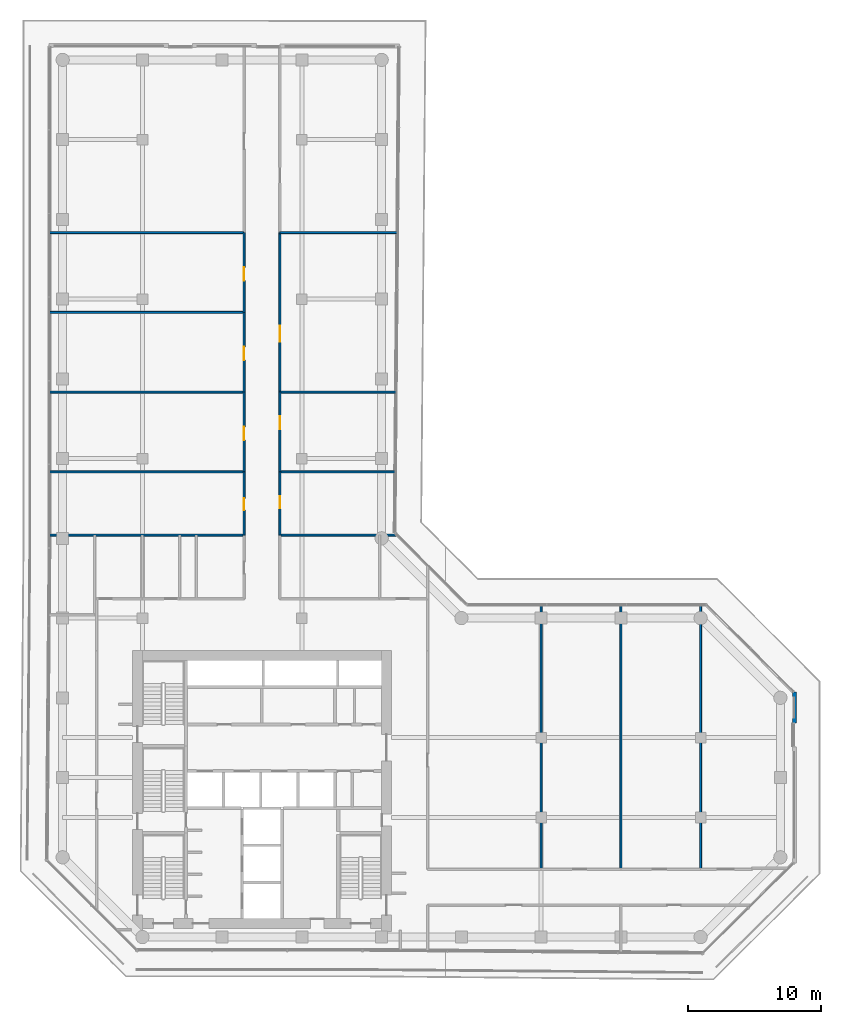
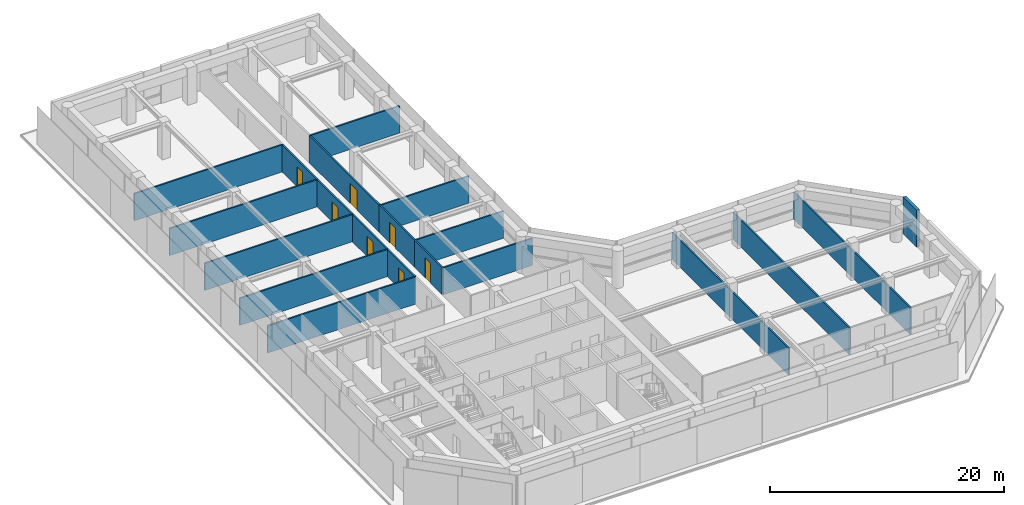
# One storey, part 20 of 23: 20 walls, 7 doors, 7 openings.
"""IFC4 building model written with IfcOpenShell, lengths in metres."""

from ifc_helpers import new_model, si_unit, direction, frame, frame_2d, origin, place, context, subcontext, project, spatial, rectangle, extrude, material, layer, layer_set, type_object, element, fill, save


model = new_model("IFC4")

# Units and contexts
model_context = context("Model", 3, precision=1e-05, world=origin(), true_north=direction((0.0, 1.0)))
body_context = subcontext(model_context, "Body", "Model", "MODEL_VIEW")
ifc_project = project(units=[si_unit("LENGTHUNIT", "METRE"), si_unit("AREAUNIT", "SQUARE_METRE"), si_unit("VOLUMEUNIT", "CUBIC_METRE"), si_unit("PLANEANGLEUNIT", "RADIAN"), si_unit("MASSUNIT", "GRAM", prefix="KILO")], contexts=[model_context])

# Site, building, storey
site_placement = place(None, origin())
site = spatial("IfcSite", under=ifc_project, at=site_placement, CompositionType="ELEMENT")
building_placement = place(site_placement, origin())
building = spatial("IfcBuilding", under=site, at=building_placement, Name="Welwitschia Terrace Campus", CompositionType="ELEMENT")
storey_placement = place(building_placement, frame((0.0, 0.0, 113.0)))
storey = spatial("IfcBuildingStorey", under=building, at=storey_placement, Name="L25", CompositionType="ELEMENT", Elevation=113.0)

# Walls
ifc_material_1 = material(Name="Gypsum board on steel studs", Category="steel")
ifc_layer_1 = layer(ifc_material_1, 0.14990234375)
ifc_layer_set_1 = layer_set([ifc_layer_1], Name="Gypsum board on steel studs")
wall_type_1 = type_object("IfcWallType", Name="Corridor partition 150 EI 30", PredefinedType="PARTITIONING", material=ifc_layer_set_1)
for number, where, z_axis, x_axis, name in (
    (1, (-0.97998046875, 34.25, 0.0), (0.0, 0.0, 1.0), (1.0, 0.0, 0.0), "Partition"),
    (2, (-0.97998046875, 39.0, 0.0), (0.0, 0.0, 1.0), (1.0, 0.0, 0.0), "Partition"),
    (3, (-0.97998046875, 45.0, 0.0), (0.0, 0.0, 1.0), (1.0, 0.0, 0.0), "Partition"),
    (4, (-0.97998046875, 51.0, 0.0), (0.0, 0.0, 1.0), (1.0, 0.0, 0.0), "Partition"),
    (5, (-0.97998046875, 57.0, 0.0), (0.0, 0.0, 1.0), (1.0, 0.0, 0.0), "Partition"),
):
    element("IfcWall", number, at=place(storey_placement, frame(where, z_axis=z_axis, x_axis=x_axis)), inside=storey, type_object=wall_type_1, Name=name, PredefinedType="PARTITIONING", context=body_context, shape_type="SweptSolid", body=[
        extrude(rectangle(XDim=14.6298828125, YDim=0.14990234375, at=frame_2d((7.31494140625, 0.0))), origin(), (0.0, 0.0, 1.0), 2.830078125),
    ])

# Wall, opening, door
wall_1_placement = place(storey_placement, frame((13.64990234375, 34.25, 0.0), z_axis=(0.0, 0.0, 1.0), x_axis=(0.0, 1.0, 0.0)))
wall_1 = element("IfcWall", 6, at=wall_1_placement, inside=storey, type_object=wall_type_1, Name="Partition", PredefinedType="PARTITIONING", context=body_context, shape_type="SweptSolid", body=[
    extrude(rectangle(XDim=4.75, YDim=0.14990234375, at=frame_2d((2.375, 0.0))), origin(), (0.0, 0.0, 1.0), 2.830078125),
])
opening_1_placement = place(wall_1_placement, frame((1.85009765625, 0.0, 0.0)))
opening_1 = element("IfcOpeningElement", 7, at=opening_1_placement, cuts=wall_1, Name="Opening DI09", PredefinedType="OPENING", context=body_context, shape_type="SweptSolid", body=[
    extrude(rectangle(XDim=0.89990234375, YDim=2.10009765625, at=frame_2d((0.449951171875, 1.050048828125))), frame((0.0, 0.0849609375, 0.0), z_axis=(0.0, -1.0, 0.0), x_axis=(1.0, 0.0, 0.0)), (0.0, 0.0, 1.0), 0.169921875),
])
ifc_material_2 = material(Name="Timber veneered door", Category="wood")
door_type_1 = type_object("IfcDoorType", Name="Interior door DI09", OperationType="NOTDEFINED", PredefinedType="DOOR", material=ifc_material_2)
door_1_placement = place(opening_1_placement, origin())
door_1 = element("IfcDoor", 8, at=door_1_placement, inside=storey, type_object=door_type_1, Name="Door L25 546", OperationType="SINGLE_SWING_LEFT", OverallHeight=2.10009765625, OverallWidth=0.89990234375, PredefinedType="DOOR", context=body_context, shape_type="SweptSolid", body=[
    extrude(rectangle(XDim=0.89990234375, YDim=2.10009765625, at=frame_2d((0.449951171875, 1.050048828125))), frame((0.0, 0.02490234375, 0.0), z_axis=(0.0, -1.0, 0.0), x_axis=(1.0, 0.0, 0.0)), (0.0, 0.0, 1.0), 0.050048828125),
])
fill(opening_1, door_1)

wall_2_placement = place(storey_placement, frame((13.64990234375, 39.0, 0.0), z_axis=(0.0, 0.0, 1.0), x_axis=(0.0, 1.0, 0.0)))
wall_2 = element("IfcWall", 9, at=wall_2_placement, inside=storey, type_object=wall_type_1, Name="Partition", PredefinedType="PARTITIONING", context=body_context, shape_type="SweptSolid", body=[
    extrude(rectangle(XDim=6.0, YDim=0.14990234375, at=frame_2d((3.0, 0.0))), origin(), (0.0, 0.0, 1.0), 2.830078125),
])
opening_2_placement = place(wall_2_placement, frame((2.39990234375, 0.0, 0.0)))
opening_2 = element("IfcOpeningElement", 10, at=opening_2_placement, cuts=wall_2, Name="Opening DI10", PredefinedType="OPENING", context=body_context, shape_type="SweptSolid", body=[
    extrude(rectangle(XDim=1.0, YDim=2.10009765625, at=frame_2d((0.5, 1.050048828125))), frame((0.0, 0.0849609375, 0.0), z_axis=(0.0, -1.0, 0.0), x_axis=(1.0, 0.0, 0.0)), (0.0, 0.0, 1.0), 0.169921875),
])
ifc_material_3 = material(Name="Timber veneered door", Category="wood")
door_type_2 = type_object("IfcDoorType", Name="Interior door DI10", OperationType="NOTDEFINED", PredefinedType="DOOR", material=ifc_material_3)
door_2_placement = place(opening_2_placement, origin())
door_2 = element("IfcDoor", 11, at=door_2_placement, inside=storey, type_object=door_type_2, Name="Door L25 547", OperationType="SINGLE_SWING_RIGHT", OverallHeight=2.10009765625, OverallWidth=1.0, PredefinedType="DOOR", context=body_context, shape_type="SweptSolid", body=[
    extrude(rectangle(XDim=1.0, YDim=2.10009765625, at=frame_2d((0.5, 1.050048828125))), frame((0.0, 0.02490234375, 0.0), z_axis=(0.0, -1.0, 0.0), x_axis=(1.0, 0.0, 0.0)), (0.0, 0.0, 1.0), 0.050048828125),
])
fill(opening_2, door_2)

wall_3_placement = place(storey_placement, frame((13.64990234375, 45.0, 0.0), z_axis=(0.0, 0.0, 1.0), x_axis=(0.0, 1.0, 0.0)))
wall_3 = element("IfcWall", 12, at=wall_3_placement, inside=storey, type_object=wall_type_1, Name="Partition", PredefinedType="PARTITIONING", context=body_context, shape_type="SweptSolid", body=[
    extrude(rectangle(XDim=6.0, YDim=0.14990234375, at=frame_2d((3.0, 0.0))), origin(), (0.0, 0.0, 1.0), 2.830078125),
])
opening_3_placement = place(wall_3_placement, frame((2.39990234375, 0.0, 0.0)))
opening_3 = element("IfcOpeningElement", 13, at=opening_3_placement, cuts=wall_3, Name="Opening DI10", PredefinedType="OPENING", context=body_context, shape_type="SweptSolid", body=[
    extrude(rectangle(XDim=1.0, YDim=2.10009765625, at=frame_2d((0.5, 1.050048828125))), frame((0.0, 0.0849609375, 0.0), z_axis=(0.0, -1.0, 0.0), x_axis=(1.0, 0.0, 0.0)), (0.0, 0.0, 1.0), 0.169921875),
])
door_3_placement = place(opening_3_placement, origin())
door_3 = element("IfcDoor", 14, at=door_3_placement, inside=storey, type_object=door_type_2, Name="Door L25 548", OperationType="SINGLE_SWING_LEFT", OverallHeight=2.10009765625, OverallWidth=1.0, PredefinedType="DOOR", context=body_context, shape_type="SweptSolid", body=[
    extrude(rectangle(XDim=1.0, YDim=2.10009765625, at=frame_2d((0.5, 1.050048828125))), frame((0.0, 0.02490234375, 0.0), z_axis=(0.0, -1.0, 0.0), x_axis=(1.0, 0.0, 0.0)), (0.0, 0.0, 1.0), 0.050048828125),
])
fill(opening_3, door_3)

wall_4_placement = place(storey_placement, frame((13.64990234375, 51.0, 0.0), z_axis=(0.0, 0.0, 1.0), x_axis=(0.0, 1.0, 0.0)))
wall_4 = element("IfcWall", 15, at=wall_4_placement, inside=storey, type_object=wall_type_1, Name="Partition", PredefinedType="PARTITIONING", context=body_context, shape_type="SweptSolid", body=[
    extrude(rectangle(XDim=6.0, YDim=0.14990234375, at=frame_2d((3.0, 0.0))), origin(), (0.0, 0.0, 1.0), 2.830078125),
])
opening_4_placement = place(wall_4_placement, frame((2.39990234375, 0.0, 0.0)))
opening_4 = element("IfcOpeningElement", 16, at=opening_4_placement, cuts=wall_4, Name="Opening DI10", PredefinedType="OPENING", context=body_context, shape_type="SweptSolid", body=[
    extrude(rectangle(XDim=1.0, YDim=2.10009765625, at=frame_2d((0.5, 1.050048828125))), frame((0.0, 0.0849609375, 0.0), z_axis=(0.0, -1.0, 0.0), x_axis=(1.0, 0.0, 0.0)), (0.0, 0.0, 1.0), 0.169921875),
])
door_4_placement = place(opening_4_placement, origin())
door_4 = element("IfcDoor", 17, at=door_4_placement, inside=storey, type_object=door_type_2, Name="Door L25 549", OperationType="SINGLE_SWING_RIGHT", OverallHeight=2.10009765625, OverallWidth=1.0, PredefinedType="DOOR", context=body_context, shape_type="SweptSolid", body=[
    extrude(rectangle(XDim=1.0, YDim=2.10009765625, at=frame_2d((0.5, 1.050048828125))), frame((0.0, 0.02490234375, 0.0), z_axis=(0.0, -1.0, 0.0), x_axis=(1.0, 0.0, 0.0)), (0.0, 0.0, 1.0), 0.050048828125),
])
fill(opening_4, door_4)

# Wall
wall_5_placement = place(storey_placement, frame((16.35009765625, 34.25, 0.0), z_axis=(0.0, 0.0, 1.0), x_axis=(1.0, 0.0, 0.0)))
element("IfcWall", 18, at=wall_5_placement, inside=storey, type_object=wall_type_1, Name="Partition", PredefinedType="PARTITIONING", context=body_context, shape_type="SweptSolid", body=[
    extrude(rectangle(XDim=8.789794921875, YDim=0.14990234375, at=frame_2d((4.39501953125, 0.0))), origin(), (0.0, 0.0, 1.0), 2.830078125),
])

# Wall, opening, door
wall_6_placement = place(storey_placement, frame((16.35009765625, 39.0, 0.0), z_axis=(0.0, 0.0, 1.0), x_axis=(0.0, -1.0, 0.0)))
wall_6 = element("IfcWall", 19, at=wall_6_placement, inside=storey, type_object=wall_type_1, Name="Partition", PredefinedType="PARTITIONING", context=body_context, shape_type="SweptSolid", body=[
    extrude(rectangle(XDim=4.75, YDim=0.14990234375, at=frame_2d((2.375, 0.0))), origin(), (0.0, 0.0, 1.0), 2.830078125),
])
opening_5_placement = place(wall_6_placement, frame((1.85009765625, 0.0, 0.0)))
opening_5 = element("IfcOpeningElement", 20, at=opening_5_placement, cuts=wall_6, Name="Opening DI09", PredefinedType="OPENING", context=body_context, shape_type="SweptSolid", body=[
    extrude(rectangle(XDim=0.89990234375, YDim=2.10009765625, at=frame_2d((0.449951171875, 1.050048828125))), frame((0.0, 0.0849609375, 0.0), z_axis=(0.0, -1.0, 0.0), x_axis=(1.0, 0.0, 0.0)), (0.0, 0.0, 1.0), 0.169921875),
])
door_5_placement = place(opening_5_placement, origin())
door_5 = element("IfcDoor", 21, at=door_5_placement, inside=storey, type_object=door_type_1, Name="Door L25 551", OperationType="SINGLE_SWING_RIGHT", OverallHeight=2.10009765625, OverallWidth=0.89990234375, PredefinedType="DOOR", context=body_context, shape_type="SweptSolid", body=[
    extrude(rectangle(XDim=0.89990234375, YDim=2.10009765625, at=frame_2d((0.449951171875, 1.050048828125))), frame((0.0, 0.02490234375, 0.0), z_axis=(0.0, -1.0, 0.0), x_axis=(1.0, 0.0, 0.0)), (0.0, 0.0, 1.0), 0.050048828125),
])
fill(opening_5, door_5)

# Wall
wall_7_placement = place(storey_placement, frame((16.35009765625, 39.0, 0.0), z_axis=(0.0, 0.0, 1.0), x_axis=(1.0, 0.0, 0.0)))
element("IfcWall", 22, at=wall_7_placement, inside=storey, type_object=wall_type_1, Name="Partition", PredefinedType="PARTITIONING", context=body_context, shape_type="SweptSolid", body=[
    extrude(rectangle(XDim=8.679931640625, YDim=0.14990234375, at=frame_2d((4.33984375, 0.0))), origin(), (0.0, 0.0, 1.0), 2.830078125),
])

# Wall, opening, door
wall_8_placement = place(storey_placement, frame((16.35009765625, 45.0, 0.0), z_axis=(0.0, 0.0, 1.0), x_axis=(0.0, -1.0, 0.0)))
wall_8 = element("IfcWall", 23, at=wall_8_placement, inside=storey, type_object=wall_type_1, Name="Partition", PredefinedType="PARTITIONING", context=body_context, shape_type="SweptSolid", body=[
    extrude(rectangle(XDim=6.0, YDim=0.14990234375, at=frame_2d((3.0, 0.0))), origin(), (0.0, 0.0, 1.0), 2.830078125),
])
opening_6_placement = place(wall_8_placement, frame((1.800048828125, 0.0, 0.0)))
opening_6 = element("IfcOpeningElement", 24, at=opening_6_placement, cuts=wall_8, Name="Opening DI10", PredefinedType="OPENING", context=body_context, shape_type="SweptSolid", body=[
    extrude(rectangle(XDim=1.0, YDim=2.10009765625, at=frame_2d((0.5, 1.050048828125))), frame((0.0, 0.0849609375, 0.0), z_axis=(0.0, -1.0, 0.0), x_axis=(1.0, 0.0, 0.0)), (0.0, 0.0, 1.0), 0.169921875),
])
door_6_placement = place(opening_6_placement, origin())
door_6 = element("IfcDoor", 25, at=door_6_placement, inside=storey, type_object=door_type_2, Name="Door L25 552", OperationType="SINGLE_SWING_LEFT", OverallHeight=2.10009765625, OverallWidth=1.0, PredefinedType="DOOR", context=body_context, shape_type="SweptSolid", body=[
    extrude(rectangle(XDim=1.0, YDim=2.10009765625, at=frame_2d((0.5, 1.050048828125))), frame((0.0, 0.02490234375, 0.0), z_axis=(0.0, -1.0, 0.0), x_axis=(1.0, 0.0, 0.0)), (0.0, 0.0, 1.0), 0.050048828125),
])
fill(opening_6, door_6)

# Wall
wall_9_placement = place(storey_placement, frame((16.35009765625, 45.0, 0.0), z_axis=(0.0, 0.0, 1.0), x_axis=(1.0, 0.0, 0.0)))
element("IfcWall", 26, at=wall_9_placement, inside=storey, type_object=wall_type_1, Name="Partition", PredefinedType="PARTITIONING", context=body_context, shape_type="SweptSolid", body=[
    extrude(rectangle(XDim=8.72998046875, YDim=0.14990234375, at=frame_2d((4.364990234375, 0.0))), origin(), (0.0, 0.0, 1.0), 2.830078125),
])

# Wall, opening, door
wall_10_placement = place(storey_placement, frame((16.35009765625, 57.0, 0.0), z_axis=(0.0, 0.0, 1.0), x_axis=(0.0, -1.0, 0.0)))
wall_10 = element("IfcWall", 27, at=wall_10_placement, inside=storey, type_object=wall_type_1, Name="Partition", PredefinedType="PARTITIONING", context=body_context, shape_type="SweptSolid", body=[
    extrude(rectangle(XDim=12.0, YDim=0.14990234375, at=frame_2d((6.0, 0.0))), origin(), (0.0, 0.0, 1.0), 2.830078125),
])
opening_7_placement = place(wall_10_placement, frame((7.0, 0.0, 0.0)))
opening_7 = element("IfcOpeningElement", 28, at=opening_7_placement, cuts=wall_10, Name="Opening DI12", PredefinedType="OPENING", context=body_context, shape_type="SweptSolid", body=[
    extrude(rectangle(XDim=1.199951171875, YDim=2.10009765625, at=frame_2d((0.60009765625, 1.050048828125))), frame((0.0, 0.0849609375, 0.0), z_axis=(0.0, -1.0, 0.0), x_axis=(1.0, 0.0, 0.0)), (0.0, 0.0, 1.0), 0.169921875),
])
ifc_material_4 = material(Name="Timber veneered door", Category="wood")
door_type_3 = type_object("IfcDoorType", Name="Interior door DI12", OperationType="NOTDEFINED", PredefinedType="DOOR", material=ifc_material_4)
door_7_placement = place(opening_7_placement, origin())
door_7 = element("IfcDoor", 29, at=door_7_placement, inside=storey, type_object=door_type_3, Name="Door L25 553", OperationType="SINGLE_SWING_RIGHT", OverallHeight=2.10009765625, OverallWidth=1.199951171875, PredefinedType="DOOR", context=body_context, shape_type="SweptSolid", body=[
    extrude(rectangle(XDim=1.199951171875, YDim=2.10009765625, at=frame_2d((0.60009765625, 1.050048828125))), frame((0.0, 0.02490234375, 0.0), z_axis=(0.0, -1.0, 0.0), x_axis=(1.0, 0.0, 0.0)), (0.0, 0.0, 1.0), 0.050048828125),
])
fill(opening_7, door_7)

# Walls
wall_11_placement = place(storey_placement, frame((16.35009765625, 57.0, 0.0), z_axis=(0.0, 0.0, 1.0), x_axis=(1.0, 0.0, 0.0)))
element("IfcWall", 30, at=wall_11_placement, inside=storey, type_object=wall_type_1, Name="Partition", PredefinedType="PARTITIONING", context=body_context, shape_type="SweptSolid", body=[
    extrude(rectangle(XDim=8.83984375, YDim=0.14990234375, at=frame_2d((4.419921875, 0.0))), origin(), (0.0, 0.0, 1.0), 2.830078125),
])
for number, where, z_axis, x_axis, name in (
    (31, (36.0, 9.10009765625, 0.0), (0.0, 0.0, 1.0), (0.0, 1.0, 0.0), "Partition"),
    (32, (42.0, 9.10009765625, 0.0), (0.0, 0.0, 1.0), (0.0, 1.0, 0.0), "Partition"),
    (33, (48.0, 9.10009765625, 0.0), (0.0, 0.0, 1.0), (0.0, 1.0, 0.0), "Partition"),
):
    element("IfcWall", number, at=place(storey_placement, frame(where, z_axis=z_axis, x_axis=x_axis)), inside=storey, type_object=wall_type_1, Name=name, PredefinedType="PARTITIONING", context=body_context, shape_type="SweptSolid", body=[
        extrude(rectangle(XDim=19.8798828125, YDim=0.14990234375, at=frame_2d((9.93994140625, 0.0))), origin(), (0.0, 0.0, 1.0), 2.830078125),
    ])
ifc_material_5 = material(Name="Concrete C40/50", Category="concrete")
ifc_layer_2 = layer(ifc_material_5, 0.300048828125)
ifc_layer_set_2 = layer_set([ifc_layer_2], Name="Concrete C40/50")
wall_type_2 = type_object("IfcWallType", Name="Mass wall 300", PredefinedType="SOLIDWALL", material=ifc_layer_set_2)
wall_12_placement = place(storey_placement, frame((55.07958984375, 20.11328125, 0.0), z_axis=(0.0, 0.0, 1.0), x_axis=(0.0, 1.0, 0.0)))
element("IfcWall", 34, at=wall_12_placement, inside=storey, type_object=wall_type_2, Name="Mass wall L25.7.1", PredefinedType="SOLIDWALL", context=body_context, shape_type="SweptSolid", body=[
    extrude(rectangle(XDim=2.313232421875, YDim=0.300048828125, at=frame_2d((1.15673828125, 0.0))), origin(), (0.0, 0.0, 1.0), 3.85009765625),
])

save(model, "model.ifc")
